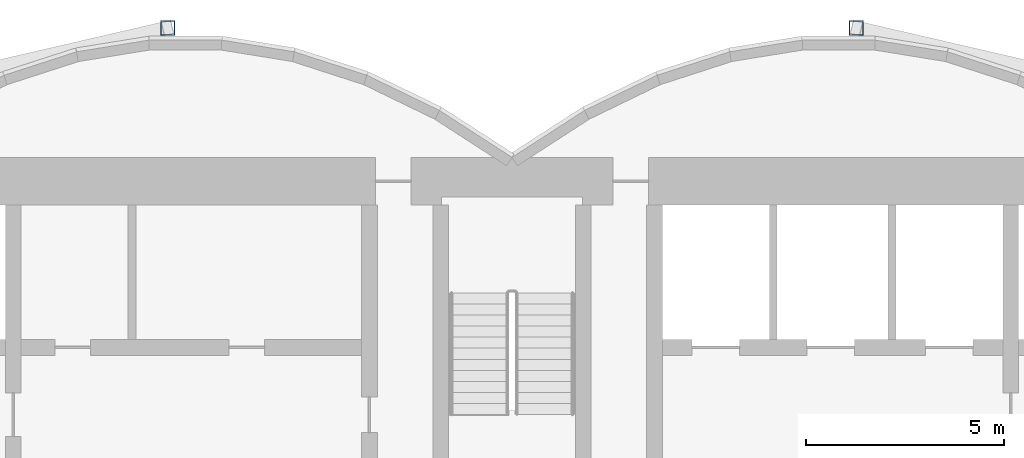
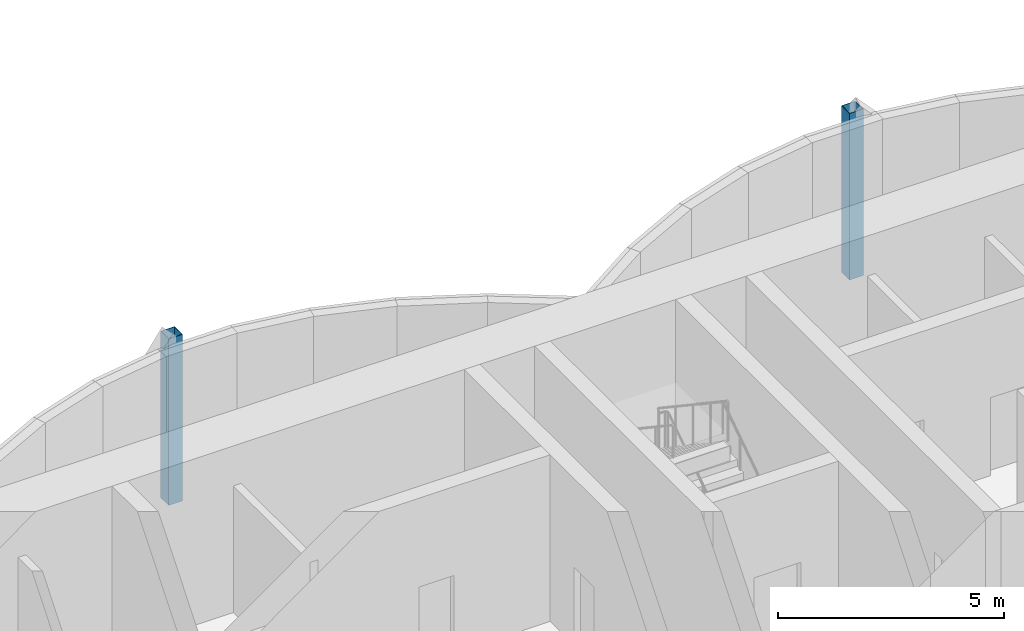
# One storey, part 3 of 18: 2 columns.
"""IFC4 building model written with IfcOpenShell, lengths in metres."""

from ifc_helpers import new_model, si_unit, direction, frame, origin, origin_2d, place, context, subcontext, project, spatial, hollow_rectangle, extrude, material, material_profile, profile_set, type_object, element, save


model = new_model("IFC4")

# Units and contexts
model_context = context("Model", 3, precision=1e-05, world=origin(), true_north=direction((0.0, 1.0)))
body_context = subcontext(model_context, "Body", "Model", "MODEL_VIEW")
ifc_project = project(units=[si_unit("LENGTHUNIT", "METRE"), si_unit("AREAUNIT", "SQUARE_METRE"), si_unit("VOLUMEUNIT", "CUBIC_METRE"), si_unit("PLANEANGLEUNIT", "RADIAN"), si_unit("MASSUNIT", "GRAM", prefix="KILO")], contexts=[model_context])

# Site, building, storey
site_placement = place(None, origin())
site = spatial("IfcSite", under=ifc_project, at=site_placement, CompositionType="ELEMENT")
building_placement = place(site_placement, origin())
building = spatial("IfcBuilding", under=site, at=building_placement, Name="Bicima Exchange Tower", CompositionType="ELEMENT")
storey_placement = place(building_placement, frame((0.0, 0.0, 311.0)))
storey = spatial("IfcBuildingStorey", under=building, at=storey_placement, Name="L70", CompositionType="ELEMENT", Elevation=311.0)

# Columns
ifc_material = material(Name="Steel ASTM A572 Gr 50", Category="steel")
ifc_material_profile = material_profile(ifc_material, hollow_rectangle(XDim=0.355712890625, YDim=0.355712890625, WallThickness=0.01171875, at=origin_2d()))
ifc_profile_set = profile_set([ifc_material_profile], Name="Steel ASTM A572 Gr 50")
column_type = type_object("IfcColumnType", Name="Rear pilaster HSS14x14x1/2", PredefinedType="COLUMN", material=ifc_profile_set)
for number, where, z_axis, x_axis, name in (
    (1, (-8.699951171875, 3.26904296875, 0.0), (0.0, 0.0, 1.0), (1.0, 0.0, 0.0), "Rear pilaster rexo-8.7r"),
    (2, (8.699951171875, 3.26904296875, 0.0), (0.0, 0.0, 1.0), (1.0, 0.0, 0.0), "Rear pilaster rexo+8.7r"),
):
    element("IfcColumn", number, at=place(storey_placement, frame(where, z_axis=z_axis, x_axis=x_axis)), inside=storey, type_object=column_type, Name=name, PredefinedType="COLUMN", context=body_context, shape_type="SweptSolid", body=[
        extrude(hollow_rectangle(XDim=0.355712890625, YDim=0.355712890625, WallThickness=0.01171875, at=origin_2d()), origin(), (0.0, 0.0, 1.0), 4.5),
    ])

save(model, "model.ifc")
